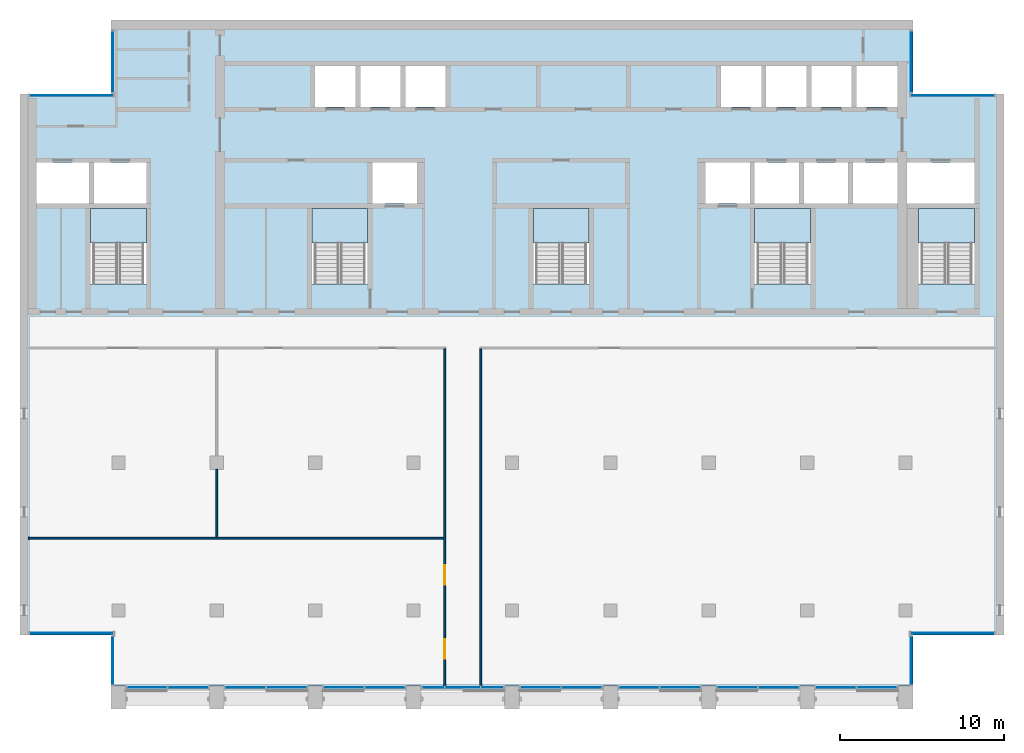
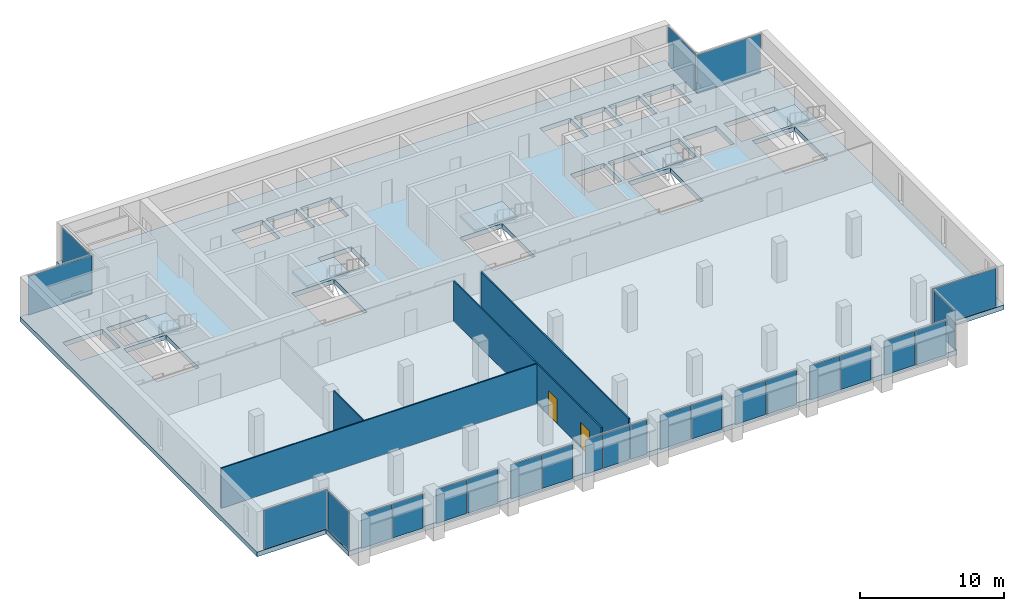
# One storey, part 6 of 14: 25 plates, 6 slabs, 4 walls, 2 doors, 2 openings, 21 elements without a shape of their own.
"""IFC4 building model written with IfcOpenShell, lengths in metres."""

from ifc_helpers import new_model, si_unit, direction, frame, frame_2d, origin, origin_2d, place, context, subcontext, project, spatial, polyline, rectangle, outline, extrude, material, layer, layer_set, type_object, element, fill, aggregate, save


model = new_model("IFC4")

# Units and contexts
model_context = context("Model", 3, precision=1e-05, world=origin(), true_north=direction((0.0, 1.0)))
body_context = subcontext(model_context, "Body", "Model", "MODEL_VIEW")
ifc_project = project(units=[si_unit("LENGTHUNIT", "METRE"), si_unit("AREAUNIT", "SQUARE_METRE"), si_unit("VOLUMEUNIT", "CUBIC_METRE"), si_unit("PLANEANGLEUNIT", "RADIAN"), si_unit("MASSUNIT", "GRAM", prefix="KILO")], contexts=[model_context])

# Site, building, storey
site_placement = place(None, origin())
site = spatial("IfcSite", under=ifc_project, at=site_placement, CompositionType="ELEMENT")
building_placement = place(site_placement, origin())
building = spatial("IfcBuilding", under=site, at=building_placement, Name="Calvaro Tower", CompositionType="ELEMENT")
storey_placement = place(building_placement, frame((0.0, 0.0, 254.550048828125)))
storey = spatial("IfcBuildingStorey", under=building, at=storey_placement, Name="L64", CompositionType="ELEMENT", Elevation=254.550048828125)

# Slab
ifc_material_1 = material(Name="Concrete C40/50", Category="concrete")
ifc_layer_1 = layer(ifc_material_1, 0.39990234375)
ifc_layer_set_1 = layer_set([ifc_layer_1], Name="Concrete C40/50")
slab_type_1 = type_object("IfcSlabType", Name="Floor slab 400 C40/50", PredefinedType="FLOOR", material=ifc_layer_set_1)
slab_1_placement = place(storey_placement, frame((0.0, 0.0, -0.400146484375)))
element("IfcSlab", 1, at=slab_1_placement, inside=storey, type_object=slab_type_1, Name="Floor slab", PredefinedType="FLOOR", context=body_context, shape_type="SweptSolid", body=[
    extrude(outline(polyline([(60.449951171875, 8.5), (60.449951171875, 5.39990234375), (11.550048828125, 5.39990234375), (11.550048828125, 8.5), (6.0, 8.5), (6.0, 41.5), (11.550048828125, 41.5), (11.550048828125, 46.0), (60.449951171875, 46.0), (60.449951171875, 41.5), (66.0, 41.5), (66.0, 8.5), (60.449951171875, 8.5)]), holes=[polyline([(10.300048828125, 29.909912109375), (10.300048828125, 34.5), (12.0, 34.5), (13.699951171875, 34.5), (13.699951171875, 29.909912109375), (12.0, 29.909912109375), (10.300048828125, 29.909912109375)]), polyline([(23.800048828125, 29.909912109375), (23.800048828125, 34.5), (25.5, 34.5), (27.199951171875, 34.5), (27.199951171875, 29.909912109375), (25.5, 29.909912109375), (23.800048828125, 29.909912109375)]), polyline([(37.300048828125, 29.909912109375), (37.300048828125, 34.5), (39.0, 34.5), (40.699951171875, 34.5), (40.699951171875, 29.909912109375), (39.0, 29.909912109375), (37.300048828125, 29.909912109375)]), polyline([(50.800048828125, 29.909912109375), (50.800048828125, 34.5), (52.5, 34.5), (54.199951171875, 34.5), (54.199951171875, 29.909912109375), (52.5, 29.909912109375), (50.800048828125, 29.909912109375)]), polyline([(60.800048828125, 29.909912109375), (60.800048828125, 34.5), (62.5, 34.5), (64.199951171875, 34.5), (64.199951171875, 29.909912109375), (62.5, 29.909912109375), (60.800048828125, 29.909912109375)]), polyline([(50.800048828125, 34.800048828125), (53.5, 34.800048828125), (53.5, 37.300048828125), (50.800048828125, 37.300048828125), (50.800048828125, 34.800048828125)]), polyline([(53.800048828125, 34.800048828125), (56.5, 34.800048828125), (56.5, 37.300048828125), (53.800048828125, 37.300048828125), (53.800048828125, 34.800048828125)]), polyline([(56.800048828125, 34.800048828125), (59.5, 34.800048828125), (59.5, 37.300048828125), (56.800048828125, 37.300048828125), (56.800048828125, 34.800048828125)]), polyline([(24.0, 40.699951171875), (26.449951171875, 40.699951171875), (26.449951171875, 43.199951171875), (24.0, 43.199951171875), (24.0, 40.699951171875)]), polyline([(26.75, 40.699951171875), (29.199951171875, 40.699951171875), (29.199951171875, 43.199951171875), (26.75, 43.199951171875), (26.75, 40.699951171875)]), polyline([(29.5, 40.699951171875), (31.949951171875, 40.699951171875), (31.949951171875, 43.199951171875), (29.5, 43.199951171875), (29.5, 40.699951171875)]), polyline([(48.75, 40.699951171875), (51.199951171875, 40.699951171875), (51.199951171875, 43.199951171875), (48.75, 43.199951171875), (48.75, 40.699951171875)]), polyline([(51.5, 40.699951171875), (53.949951171875, 40.699951171875), (53.949951171875, 43.199951171875), (51.5, 43.199951171875), (51.5, 40.699951171875)]), polyline([(54.25, 40.699951171875), (56.699951171875, 40.699951171875), (56.699951171875, 43.199951171875), (54.25, 43.199951171875), (54.25, 40.699951171875)]), polyline([(57.0, 40.699951171875), (59.5, 40.699951171875), (59.5, 43.199951171875), (57.0, 43.199951171875), (57.0, 40.699951171875)]), polyline([(7.0, 34.800048828125), (10.199951171875, 34.800048828125), (10.199951171875, 37.300048828125), (7.0, 37.300048828125), (7.0, 34.800048828125)]), polyline([(10.5, 34.800048828125), (13.699951171875, 34.800048828125), (13.699951171875, 37.300048828125), (10.5, 37.300048828125), (10.5, 34.800048828125)]), polyline([(60.10009765625, 34.800048828125), (64.199951171875, 34.800048828125), (64.199951171875, 37.300048828125), (60.10009765625, 37.300048828125), (60.10009765625, 34.800048828125)]), polyline([(27.5, 34.800048828125), (30.199951171875, 34.800048828125), (30.199951171875, 37.300048828125), (27.5, 37.300048828125), (27.5, 34.800048828125)]), polyline([(47.800048828125, 34.800048828125), (50.5, 34.800048828125), (50.5, 37.300048828125), (47.800048828125, 37.300048828125), (47.800048828125, 34.800048828125)])]), origin(), (0.0, 0.0, 1.0), 0.400146484375),
])

# Curtain wall, plates
ifc_material_2 = material(Name="Anodised aluminium", Category="aluminium")
curtain_wall_type = type_object("IfcCurtainWallType", Name="Executive curtain wall", PredefinedType="NOTDEFINED", material=ifc_material_2)
curtain_wall_1_placement = place(storey_placement, origin())
curtain_wall_1 = element("IfcCurtainWall", 2, at=curtain_wall_1_placement, inside=storey, type_object=curtain_wall_type, Name="CW4 south curtain wall", PredefinedType="NOTDEFINED")
ifc_material_3 = material(Name="Glass", Category="glass")
ifc_layer_2 = layer(ifc_material_3, 0.0400390625)
ifc_layer_set_2 = layer_set([ifc_layer_2], Name="Glass")
plate_type = type_object("IfcPlateType", Name="Glass panel S4 40", PredefinedType="CURTAIN_PANEL", material=ifc_layer_set_2)
plate_1_placement = place(storey_placement, frame((13.7451171875, 5.2900390625, 0.0), z_axis=(0.0, 0.0, 1.0), x_axis=(1.0, 0.0, 0.0)))
plate_1 = element("IfcPlate", 3, at=plate_1_placement, type_object=plate_type, Name="CW4 glass panel 1.1", PredefinedType="CURTAIN_PANEL", context=body_context, shape_type="SweptSolid", body=[
    extrude(rectangle(XDim=2.429931640625, YDim=0.0400390625, at=origin_2d()), origin(), (0.0, 0.0, 1.0), 2.8798828125),
])
plate_2_placement = place(storey_placement, frame((16.2548828125, 5.2900390625, 0.0), z_axis=(0.0, 0.0, 1.0), x_axis=(1.0, 0.0, 0.0)))
plate_2 = element("IfcPlate", 4, at=plate_2_placement, type_object=plate_type, Name="CW4 glass panel 2.1", PredefinedType="CURTAIN_PANEL", context=body_context, shape_type="SweptSolid", body=[
    extrude(rectangle(XDim=2.429931640625, YDim=0.0400390625, at=origin_2d()), origin(), (0.0, 0.0, 1.0), 2.8798828125),
])
aggregate(curtain_wall_1, [plate_1, plate_2])

curtain_wall_2_placement = place(storey_placement, origin())
curtain_wall_2 = element("IfcCurtainWall", 5, at=curtain_wall_2_placement, inside=storey, type_object=curtain_wall_type, Name="CW4 south curtain wall", PredefinedType="NOTDEFINED")
plate_3_placement = place(storey_placement, frame((19.7451171875, 5.2900390625, 0.0), z_axis=(0.0, 0.0, 1.0), x_axis=(1.0, 0.0, 0.0)))
plate_3 = element("IfcPlate", 6, at=plate_3_placement, type_object=plate_type, Name="CW4 glass panel 1.1", PredefinedType="CURTAIN_PANEL", context=body_context, shape_type="SweptSolid", body=[
    extrude(rectangle(XDim=2.429931640625, YDim=0.0400390625, at=origin_2d()), origin(), (0.0, 0.0, 1.0), 2.8798828125),
])
plate_4_placement = place(storey_placement, frame((22.2548828125, 5.2900390625, 0.0), z_axis=(0.0, 0.0, 1.0), x_axis=(1.0, 0.0, 0.0)))
plate_4 = element("IfcPlate", 7, at=plate_4_placement, type_object=plate_type, Name="CW4 glass panel 2.1", PredefinedType="CURTAIN_PANEL", context=body_context, shape_type="SweptSolid", body=[
    extrude(rectangle(XDim=2.429931640625, YDim=0.0400390625, at=origin_2d()), origin(), (0.0, 0.0, 1.0), 2.8798828125),
])
aggregate(curtain_wall_2, [plate_3, plate_4])

curtain_wall_3_placement = place(storey_placement, origin())
curtain_wall_3 = element("IfcCurtainWall", 8, at=curtain_wall_3_placement, inside=storey, type_object=curtain_wall_type, Name="CW4 south curtain wall", PredefinedType="NOTDEFINED")
plate_5_placement = place(storey_placement, frame((25.7451171875, 5.2900390625, 0.0), z_axis=(0.0, 0.0, 1.0), x_axis=(1.0, 0.0, 0.0)))
plate_5 = element("IfcPlate", 9, at=plate_5_placement, type_object=plate_type, Name="CW4 glass panel 1.1", PredefinedType="CURTAIN_PANEL", context=body_context, shape_type="SweptSolid", body=[
    extrude(rectangle(XDim=2.429931640625, YDim=0.0400390625, at=origin_2d()), origin(), (0.0, 0.0, 1.0), 2.8798828125),
])
plate_6_placement = place(storey_placement, frame((28.2548828125, 5.2900390625, 0.0), z_axis=(0.0, 0.0, 1.0), x_axis=(1.0, 0.0, 0.0)))
plate_6 = element("IfcPlate", 10, at=plate_6_placement, type_object=plate_type, Name="CW4 glass panel 2.1", PredefinedType="CURTAIN_PANEL", context=body_context, shape_type="SweptSolid", body=[
    extrude(rectangle(XDim=2.429931640625, YDim=0.0400390625, at=origin_2d()), origin(), (0.0, 0.0, 1.0), 2.8798828125),
])
aggregate(curtain_wall_3, [plate_5, plate_6])

curtain_wall_4_placement = place(storey_placement, origin())
curtain_wall_4 = element("IfcCurtainWall", 11, at=curtain_wall_4_placement, inside=storey, type_object=curtain_wall_type, Name="CW4 south curtain wall", PredefinedType="NOTDEFINED")
plate_7_placement = place(storey_placement, frame((31.195068359375, 5.2900390625, 0.0), z_axis=(0.0, 0.0, 1.0), x_axis=(1.0, 0.0, 0.0)))
plate_7 = element("IfcPlate", 12, at=plate_7_placement, type_object=plate_type, Name="CW4 glass panel 1.1", PredefinedType="CURTAIN_PANEL", context=body_context, shape_type="SweptSolid", body=[
    extrude(rectangle(XDim=1.330078125, YDim=0.0400390625, at=origin_2d()), origin(), (0.0, 0.0, 1.0), 2.8798828125),
])
plate_8_placement = place(storey_placement, frame((33.0, 5.2900390625, 0.0), z_axis=(0.0, 0.0, 1.0), x_axis=(1.0, 0.0, 0.0)))
plate_8 = element("IfcPlate", 13, at=plate_8_placement, type_object=plate_type, Name="CW4 glass panel 2.1", PredefinedType="CURTAIN_PANEL", context=body_context, shape_type="SweptSolid", body=[
    extrude(rectangle(XDim=2.1201171875, YDim=0.0400390625, at=origin_2d()), origin(), (0.0, 0.0, 1.0), 2.8798828125),
])
plate_9_placement = place(storey_placement, frame((34.804931640625, 5.2900390625, 0.0), z_axis=(0.0, 0.0, 1.0), x_axis=(1.0, 0.0, 0.0)))
plate_9 = element("IfcPlate", 14, at=plate_9_placement, type_object=plate_type, Name="CW4 glass panel 3.1", PredefinedType="CURTAIN_PANEL", context=body_context, shape_type="SweptSolid", body=[
    extrude(rectangle(XDim=1.330078125, YDim=0.0400390625, at=origin_2d()), origin(), (0.0, 0.0, 1.0), 2.8798828125),
])
aggregate(curtain_wall_4, [plate_7, plate_8, plate_9])

curtain_wall_5_placement = place(storey_placement, origin())
curtain_wall_5 = element("IfcCurtainWall", 15, at=curtain_wall_5_placement, inside=storey, type_object=curtain_wall_type, Name="CW4 south curtain wall", PredefinedType="NOTDEFINED")
plate_10_placement = place(storey_placement, frame((37.7451171875, 5.2900390625, 0.0), z_axis=(0.0, 0.0, 1.0), x_axis=(1.0, 0.0, 0.0)))
plate_10 = element("IfcPlate", 16, at=plate_10_placement, type_object=plate_type, Name="CW4 glass panel 1.1", PredefinedType="CURTAIN_PANEL", context=body_context, shape_type="SweptSolid", body=[
    extrude(rectangle(XDim=2.429931640625, YDim=0.0400390625, at=origin_2d()), origin(), (0.0, 0.0, 1.0), 2.8798828125),
])
plate_11_placement = place(storey_placement, frame((40.2548828125, 5.2900390625, 0.0), z_axis=(0.0, 0.0, 1.0), x_axis=(1.0, 0.0, 0.0)))
plate_11 = element("IfcPlate", 17, at=plate_11_placement, type_object=plate_type, Name="CW4 glass panel 2.1", PredefinedType="CURTAIN_PANEL", context=body_context, shape_type="SweptSolid", body=[
    extrude(rectangle(XDim=2.429931640625, YDim=0.0400390625, at=origin_2d()), origin(), (0.0, 0.0, 1.0), 2.8798828125),
])
aggregate(curtain_wall_5, [plate_10, plate_11])

curtain_wall_6_placement = place(storey_placement, origin())
curtain_wall_6 = element("IfcCurtainWall", 18, at=curtain_wall_6_placement, inside=storey, type_object=curtain_wall_type, Name="CW4 south curtain wall", PredefinedType="NOTDEFINED")
plate_12_placement = place(storey_placement, frame((43.7451171875, 5.2900390625, 0.0), z_axis=(0.0, 0.0, 1.0), x_axis=(1.0, 0.0, 0.0)))
plate_12 = element("IfcPlate", 19, at=plate_12_placement, type_object=plate_type, Name="CW4 glass panel 1.1", PredefinedType="CURTAIN_PANEL", context=body_context, shape_type="SweptSolid", body=[
    extrude(rectangle(XDim=2.429931640625, YDim=0.0400390625, at=origin_2d()), origin(), (0.0, 0.0, 1.0), 2.8798828125),
])
plate_13_placement = place(storey_placement, frame((46.2548828125, 5.2900390625, 0.0), z_axis=(0.0, 0.0, 1.0), x_axis=(1.0, 0.0, 0.0)))
plate_13 = element("IfcPlate", 20, at=plate_13_placement, type_object=plate_type, Name="CW4 glass panel 2.1", PredefinedType="CURTAIN_PANEL", context=body_context, shape_type="SweptSolid", body=[
    extrude(rectangle(XDim=2.429931640625, YDim=0.0400390625, at=origin_2d()), origin(), (0.0, 0.0, 1.0), 2.8798828125),
])
aggregate(curtain_wall_6, [plate_12, plate_13])

curtain_wall_7_placement = place(storey_placement, origin())
curtain_wall_7 = element("IfcCurtainWall", 21, at=curtain_wall_7_placement, inside=storey, type_object=curtain_wall_type, Name="CW4 south curtain wall", PredefinedType="NOTDEFINED")
plate_14_placement = place(storey_placement, frame((49.7451171875, 5.2900390625, 0.0), z_axis=(0.0, 0.0, 1.0), x_axis=(1.0, 0.0, 0.0)))
plate_14 = element("IfcPlate", 22, at=plate_14_placement, type_object=plate_type, Name="CW4 glass panel 1.1", PredefinedType="CURTAIN_PANEL", context=body_context, shape_type="SweptSolid", body=[
    extrude(rectangle(XDim=2.429931640625, YDim=0.0400390625, at=origin_2d()), origin(), (0.0, 0.0, 1.0), 2.8798828125),
])
plate_15_placement = place(storey_placement, frame((52.2548828125, 5.2900390625, 0.0), z_axis=(0.0, 0.0, 1.0), x_axis=(1.0, 0.0, 0.0)))
plate_15 = element("IfcPlate", 23, at=plate_15_placement, type_object=plate_type, Name="CW4 glass panel 2.1", PredefinedType="CURTAIN_PANEL", context=body_context, shape_type="SweptSolid", body=[
    extrude(rectangle(XDim=2.429931640625, YDim=0.0400390625, at=origin_2d()), origin(), (0.0, 0.0, 1.0), 2.8798828125),
])
aggregate(curtain_wall_7, [plate_14, plate_15])

curtain_wall_8_placement = place(storey_placement, origin())
curtain_wall_8 = element("IfcCurtainWall", 24, at=curtain_wall_8_placement, inside=storey, type_object=curtain_wall_type, Name="CW4 south curtain wall", PredefinedType="NOTDEFINED")
plate_16_placement = place(storey_placement, frame((55.7451171875, 5.2900390625, 0.0), z_axis=(0.0, 0.0, 1.0), x_axis=(1.0, 0.0, 0.0)))
plate_16 = element("IfcPlate", 25, at=plate_16_placement, type_object=plate_type, Name="CW4 glass panel 1.1", PredefinedType="CURTAIN_PANEL", context=body_context, shape_type="SweptSolid", body=[
    extrude(rectangle(XDim=2.429931640625, YDim=0.0400390625, at=origin_2d()), origin(), (0.0, 0.0, 1.0), 2.8798828125),
])
plate_17_placement = place(storey_placement, frame((58.2548828125, 5.2900390625, 0.0), z_axis=(0.0, 0.0, 1.0), x_axis=(1.0, 0.0, 0.0)))
plate_17 = element("IfcPlate", 26, at=plate_17_placement, type_object=plate_type, Name="CW4 glass panel 2.1", PredefinedType="CURTAIN_PANEL", context=body_context, shape_type="SweptSolid", body=[
    extrude(rectangle(XDim=2.429931640625, YDim=0.0400390625, at=origin_2d()), origin(), (0.0, 0.0, 1.0), 2.8798828125),
])
aggregate(curtain_wall_8, [plate_16, plate_17])

# Curtain wall, plate
curtain_wall_9_placement = place(storey_placement, origin())
curtain_wall_9 = element("IfcCurtainWall", 27, at=curtain_wall_9_placement, inside=storey, type_object=curtain_wall_type, Name="CW4 corner curtain wall", PredefinedType="NOTDEFINED")
plate_18_placement = place(storey_placement, frame((11.659912109375, 6.949951171875, 0.0), z_axis=(0.0, 0.0, 1.0), x_axis=(0.0, 1.0, 0.0)))
plate_18 = element("IfcPlate", 28, at=plate_18_placement, type_object=plate_type, Name="CW4 glass panel 1.1", PredefinedType="CURTAIN_PANEL", context=body_context, shape_type="SweptSolid", body=[
    extrude(rectangle(XDim=2.93994140625, YDim=0.0400390625, at=origin_2d()), origin(), (0.0, 0.0, 1.0), 3.280029296875),
])
aggregate(curtain_wall_9, [plate_18])

curtain_wall_10_placement = place(storey_placement, origin())
curtain_wall_10 = element("IfcCurtainWall", 29, at=curtain_wall_10_placement, inside=storey, type_object=curtain_wall_type, Name="CW4 corner curtain wall", PredefinedType="NOTDEFINED")
plate_19_placement = place(storey_placement, frame((9.135009765625, 8.610107421875, 0.0), z_axis=(0.0, 0.0, 1.0), x_axis=(1.0, 0.0, 0.0)))
plate_19 = element("IfcPlate", 30, at=plate_19_placement, type_object=plate_type, Name="CW4 glass panel 1.1", PredefinedType="CURTAIN_PANEL", context=body_context, shape_type="SweptSolid", body=[
    extrude(rectangle(XDim=5.110107421875, YDim=0.0400390625, at=origin_2d()), origin(), (0.0, 0.0, 1.0), 3.280029296875),
])
aggregate(curtain_wall_10, [plate_19])

curtain_wall_11_placement = place(storey_placement, origin())
curtain_wall_11 = element("IfcCurtainWall", 31, at=curtain_wall_11_placement, inside=storey, type_object=curtain_wall_type, Name="CW4 corner curtain wall", PredefinedType="NOTDEFINED")
plate_20_placement = place(storey_placement, frame((11.659912109375, 43.449951171875, 0.0), z_axis=(0.0, 0.0, 1.0), x_axis=(0.0, 1.0, 0.0)))
plate_20 = element("IfcPlate", 32, at=plate_20_placement, type_object=plate_type, Name="CW4 glass panel 1.1", PredefinedType="CURTAIN_PANEL", context=body_context, shape_type="SweptSolid", body=[
    extrude(rectangle(XDim=3.739990234375, YDim=0.0400390625, at=origin_2d()), origin(), (0.0, 0.0, 1.0), 3.280029296875),
])
aggregate(curtain_wall_11, [plate_20])

curtain_wall_12_placement = place(storey_placement, origin())
curtain_wall_12 = element("IfcCurtainWall", 33, at=curtain_wall_12_placement, inside=storey, type_object=curtain_wall_type, Name="CW4 corner curtain wall", PredefinedType="NOTDEFINED")
plate_21_placement = place(storey_placement, frame((9.135009765625, 41.389892578125, 0.0), z_axis=(0.0, 0.0, 1.0), x_axis=(1.0, 0.0, 0.0)))
plate_21 = element("IfcPlate", 34, at=plate_21_placement, type_object=plate_type, Name="CW4 glass panel 1.1", PredefinedType="CURTAIN_PANEL", context=body_context, shape_type="SweptSolid", body=[
    extrude(rectangle(XDim=5.110107421875, YDim=0.0400390625, at=origin_2d()), origin(), (0.0, 0.0, 1.0), 3.280029296875),
])
aggregate(curtain_wall_12, [plate_21])

curtain_wall_13_placement = place(storey_placement, origin())
curtain_wall_13 = element("IfcCurtainWall", 35, at=curtain_wall_13_placement, inside=storey, type_object=curtain_wall_type, Name="CW4 corner curtain wall", PredefinedType="NOTDEFINED")
plate_22_placement = place(storey_placement, frame((60.340087890625, 6.949951171875, 0.0), z_axis=(0.0, 0.0, 1.0), x_axis=(0.0, 1.0, 0.0)))
plate_22 = element("IfcPlate", 36, at=plate_22_placement, type_object=plate_type, Name="CW4 glass panel 1.1", PredefinedType="CURTAIN_PANEL", context=body_context, shape_type="SweptSolid", body=[
    extrude(rectangle(XDim=2.93994140625, YDim=0.0400390625, at=origin_2d()), origin(), (0.0, 0.0, 1.0), 3.280029296875),
])
aggregate(curtain_wall_13, [plate_22])

curtain_wall_14_placement = place(storey_placement, origin())
curtain_wall_14 = element("IfcCurtainWall", 37, at=curtain_wall_14_placement, inside=storey, type_object=curtain_wall_type, Name="CW4 corner curtain wall", PredefinedType="NOTDEFINED")
plate_23_placement = place(storey_placement, frame((62.864990234375, 8.610107421875, 0.0), z_axis=(0.0, 0.0, 1.0), x_axis=(1.0, 0.0, 0.0)))
plate_23 = element("IfcPlate", 38, at=plate_23_placement, type_object=plate_type, Name="CW4 glass panel 1.1", PredefinedType="CURTAIN_PANEL", context=body_context, shape_type="SweptSolid", body=[
    extrude(rectangle(XDim=5.110107421875, YDim=0.0400390625, at=origin_2d()), origin(), (0.0, 0.0, 1.0), 3.280029296875),
])
aggregate(curtain_wall_14, [plate_23])

curtain_wall_15_placement = place(storey_placement, origin())
curtain_wall_15 = element("IfcCurtainWall", 39, at=curtain_wall_15_placement, inside=storey, type_object=curtain_wall_type, Name="CW4 corner curtain wall", PredefinedType="NOTDEFINED")
plate_24_placement = place(storey_placement, frame((60.340087890625, 43.449951171875, 0.0), z_axis=(0.0, 0.0, 1.0), x_axis=(0.0, 1.0, 0.0)))
plate_24 = element("IfcPlate", 40, at=plate_24_placement, type_object=plate_type, Name="CW4 glass panel 1.1", PredefinedType="CURTAIN_PANEL", context=body_context, shape_type="SweptSolid", body=[
    extrude(rectangle(XDim=3.739990234375, YDim=0.0400390625, at=origin_2d()), origin(), (0.0, 0.0, 1.0), 3.280029296875),
])
aggregate(curtain_wall_15, [plate_24])

curtain_wall_16_placement = place(storey_placement, origin())
curtain_wall_16 = element("IfcCurtainWall", 41, at=curtain_wall_16_placement, inside=storey, type_object=curtain_wall_type, Name="CW4 corner curtain wall", PredefinedType="NOTDEFINED")
plate_25_placement = place(storey_placement, frame((62.864990234375, 41.389892578125, 0.0), z_axis=(0.0, 0.0, 1.0), x_axis=(1.0, 0.0, 0.0)))
plate_25 = element("IfcPlate", 42, at=plate_25_placement, type_object=plate_type, Name="CW4 glass panel 1.1", PredefinedType="CURTAIN_PANEL", context=body_context, shape_type="SweptSolid", body=[
    extrude(rectangle(XDim=5.110107421875, YDim=0.0400390625, at=origin_2d()), origin(), (0.0, 0.0, 1.0), 3.280029296875),
])
aggregate(curtain_wall_16, [plate_25])

# Stair, slab
ifc_material_4 = material(Name="Concrete C40/50", Category="concrete")
stair_type = type_object("IfcStairType", Name="Exit stair 1400 2 flights", PredefinedType="HALF_TURN_STAIR", material=ifc_material_4)
stair_1_placement = place(storey_placement, origin())
stair_1 = element("IfcStair", 43, at=stair_1_placement, inside=storey, type_object=stair_type, Name="Exit stair S1", PredefinedType="HALF_TURN_STAIR")
ifc_material_5 = material(Name="Concrete C40/50", Category="concrete")
ifc_layer_3 = layer(ifc_material_5, 0.199951171875)
ifc_layer_set_3 = layer_set([ifc_layer_3], Name="Concrete C40/50")
slab_type_2 = type_object("IfcSlabType", Name="Stair landing", PredefinedType="LANDING", material=ifc_layer_set_3)
slab_2_placement = place(storey_placement, frame((0.0, 0.0, 1.699951171875)))
slab_2 = element("IfcSlab", 44, at=slab_2_placement, type_object=slab_type_2, Name="Exit stair 1, landing 1", PredefinedType="LANDING", context=body_context, shape_type="SweptSolid", body=[
    extrude(outline(polyline([(11.89990234375, 32.389892578125), (10.5, 32.389892578125), (10.5, 32.39990234375), (10.300048828125, 32.39990234375), (10.300048828125, 34.5), (10.5, 34.5), (11.89990234375, 34.5), (12.10009765625, 34.5), (13.5, 34.5), (13.699951171875, 34.5), (13.699951171875, 32.39990234375), (13.5, 32.39990234375), (13.5, 32.389892578125), (12.10009765625, 32.389892578125), (12.10009765625, 32.39990234375), (11.89990234375, 32.39990234375), (11.89990234375, 32.389892578125)])), origin(), (0.0, 0.0, 1.0), 0.199951171875),
])
aggregate(stair_1, [slab_2])

stair_2_placement = place(storey_placement, origin())
stair_2 = element("IfcStair", 45, at=stair_2_placement, inside=storey, type_object=stair_type, Name="Exit stair S2", PredefinedType="HALF_TURN_STAIR")
slab_3_placement = place(storey_placement, frame((0.0, 0.0, 1.699951171875)))
slab_3 = element("IfcSlab", 46, at=slab_3_placement, type_object=slab_type_2, Name="Exit stair 2, landing 1", PredefinedType="LANDING", context=body_context, shape_type="SweptSolid", body=[
    extrude(outline(polyline([(25.39990234375, 32.389892578125), (24.0, 32.389892578125), (24.0, 32.39990234375), (23.800048828125, 32.39990234375), (23.800048828125, 34.5), (24.0, 34.5), (25.39990234375, 34.5), (25.60009765625, 34.5), (27.0, 34.5), (27.199951171875, 34.5), (27.199951171875, 32.39990234375), (27.0, 32.39990234375), (27.0, 32.389892578125), (25.60009765625, 32.389892578125), (25.60009765625, 32.39990234375), (25.39990234375, 32.39990234375), (25.39990234375, 32.389892578125)])), origin(), (0.0, 0.0, 1.0), 0.199951171875),
])
aggregate(stair_2, [slab_3])

stair_3_placement = place(storey_placement, origin())
stair_3 = element("IfcStair", 47, at=stair_3_placement, inside=storey, type_object=stair_type, Name="Exit stair S3", PredefinedType="HALF_TURN_STAIR")
slab_4_placement = place(storey_placement, frame((0.0, 0.0, 1.699951171875)))
slab_4 = element("IfcSlab", 48, at=slab_4_placement, type_object=slab_type_2, Name="Exit stair 3, landing 1", PredefinedType="LANDING", context=body_context, shape_type="SweptSolid", body=[
    extrude(outline(polyline([(38.89990234375, 32.389892578125), (37.5, 32.389892578125), (37.5, 32.39990234375), (37.300048828125, 32.39990234375), (37.300048828125, 34.5), (37.5, 34.5), (38.89990234375, 34.5), (39.10009765625, 34.5), (40.5, 34.5), (40.699951171875, 34.5), (40.699951171875, 32.39990234375), (40.5, 32.39990234375), (40.5, 32.389892578125), (39.10009765625, 32.389892578125), (39.10009765625, 32.39990234375), (38.89990234375, 32.39990234375), (38.89990234375, 32.389892578125)])), origin(), (0.0, 0.0, 1.0), 0.199951171875),
])
aggregate(stair_3, [slab_4])

stair_4_placement = place(storey_placement, origin())
stair_4 = element("IfcStair", 49, at=stair_4_placement, inside=storey, type_object=stair_type, Name="Exit stair S4", PredefinedType="HALF_TURN_STAIR")
slab_5_placement = place(storey_placement, frame((0.0, 0.0, 1.699951171875)))
slab_5 = element("IfcSlab", 50, at=slab_5_placement, type_object=slab_type_2, Name="Exit stair 4, landing 1", PredefinedType="LANDING", context=body_context, shape_type="SweptSolid", body=[
    extrude(outline(polyline([(52.39990234375, 32.389892578125), (51.0, 32.389892578125), (51.0, 32.39990234375), (50.800048828125, 32.39990234375), (50.800048828125, 34.5), (51.0, 34.5), (52.39990234375, 34.5), (52.60009765625, 34.5), (54.0, 34.5), (54.199951171875, 34.5), (54.199951171875, 32.39990234375), (54.0, 32.39990234375), (54.0, 32.389892578125), (52.60009765625, 32.389892578125), (52.60009765625, 32.39990234375), (52.39990234375, 32.39990234375), (52.39990234375, 32.389892578125)])), origin(), (0.0, 0.0, 1.0), 0.199951171875),
])
aggregate(stair_4, [slab_5])

stair_5_placement = place(storey_placement, origin())
stair_5 = element("IfcStair", 51, at=stair_5_placement, inside=storey, type_object=stair_type, Name="Exit stair S5", PredefinedType="HALF_TURN_STAIR")
slab_6_placement = place(storey_placement, frame((0.0, 0.0, 1.699951171875)))
slab_6 = element("IfcSlab", 52, at=slab_6_placement, type_object=slab_type_2, Name="Exit stair 5, landing 1", PredefinedType="LANDING", context=body_context, shape_type="SweptSolid", body=[
    extrude(outline(polyline([(62.39990234375, 32.389892578125), (61.0, 32.389892578125), (61.0, 32.39990234375), (60.800048828125, 32.39990234375), (60.800048828125, 34.5), (61.0, 34.5), (62.39990234375, 34.5), (62.60009765625, 34.5), (64.0, 34.5), (64.199951171875, 34.5), (64.199951171875, 32.39990234375), (64.0, 32.39990234375), (64.0, 32.389892578125), (62.60009765625, 32.389892578125), (62.60009765625, 32.39990234375), (62.39990234375, 32.39990234375), (62.39990234375, 32.389892578125)])), origin(), (0.0, 0.0, 1.0), 0.199951171875),
])
aggregate(stair_5, [slab_6])

# Walls
ifc_material_6 = material(Name="Plasterboard on steel studs", Category="steel")
ifc_layer_4 = layer(ifc_material_6, 0.10009765625)
ifc_layer_set_4 = layer_set([ifc_layer_4], Name="Plasterboard on steel studs")
wall_type_1 = type_object("IfcWallType", Name="Partition 100", PredefinedType="PARTITIONING", material=ifc_layer_set_4)
wall_1_placement = place(storey_placement, frame((34.10009765625, 5.39990234375, 0.0), z_axis=(0.0, 0.0, 1.0), x_axis=(0.0, 1.0, 0.0)))
element("IfcWall", 53, at=wall_1_placement, inside=storey, type_object=wall_type_1, Name="Partition T36.W007", PredefinedType="PARTITIONING", context=body_context, shape_type="SweptSolid", body=[
    extrude(rectangle(XDim=20.550048828125, YDim=0.10009765625, at=frame_2d((10.27490234375, 0.0))), origin(), (0.0, 0.0, 1.0), 3.39990234375),
])
ifc_material_7 = material(Name="Plasterboard on steel studs", Category="steel")
ifc_layer_5 = layer(ifc_material_7, 0.10009765625)
ifc_layer_set_5 = layer_set([ifc_layer_5], Name="Plasterboard on steel studs")
wall_type_2 = type_object("IfcWallType", Name="Partition 100 REI 120", PredefinedType="PARTITIONING", material=ifc_layer_set_5)
wall_2_placement = place(storey_placement, frame((6.5, 14.39990234375, 0.0), z_axis=(0.0, 0.0, 1.0), x_axis=(1.0, 0.0, 0.0)))
element("IfcWall", 54, at=wall_2_placement, inside=storey, type_object=wall_type_2, Name="Partition T36.W001", PredefinedType="PARTITIONING", context=body_context, shape_type="SweptSolid", body=[
    extrude(rectangle(XDim=25.35009765625, YDim=0.10009765625, at=frame_2d((12.675048828125, 0.0))), origin(), (0.0, 0.0, 1.0), 3.39990234375),
])
wall_3_placement = place(storey_placement, frame((18.0, 14.449951171875, 0.0), z_axis=(0.0, 0.0, 1.0), x_axis=(0.0, 1.0, 0.0)))
element("IfcWall", 55, at=wall_3_placement, inside=storey, type_object=wall_type_2, Name="Partition T36.W004", PredefinedType="PARTITIONING", context=body_context, shape_type="SweptSolid", body=[
    extrude(rectangle(XDim=4.150146484375, YDim=0.10009765625, at=frame_2d((2.0751953125, 0.0))), origin(), (0.0, 0.0, 1.0), 3.39990234375),
])

# Wall, openings, doors
wall_4_placement = place(storey_placement, frame((31.89990234375, 5.39990234375, 0.0), z_axis=(0.0, 0.0, 1.0), x_axis=(0.0, 1.0, 0.0)))
wall_4 = element("IfcWall", 56, at=wall_4_placement, inside=storey, type_object=wall_type_2, Name="Partition T36.W006", PredefinedType="PARTITIONING", context=body_context, shape_type="SweptSolid", body=[
    extrude(rectangle(XDim=20.550048828125, YDim=0.10009765625, at=frame_2d((10.27490234375, 0.0))), origin(), (0.0, 0.0, 1.0), 3.39990234375),
])
opening_1_placement = place(wall_4_placement, frame((1.64990234375, 0.0, 0.0)))
opening_1 = element("IfcOpeningElement", 57, at=opening_1_placement, cuts=wall_4, Name="Opening T36.001", PredefinedType="OPENING", context=body_context, shape_type="SweptSolid", body=[
    extrude(rectangle(XDim=1.199951171875, YDim=2.10009765625, at=frame_2d((0.60009765625, 1.050048828125))), frame((0.0, 0.06005859375, 0.0), z_axis=(0.0, -1.0, 0.0), x_axis=(1.0, 0.0, 0.0)), (0.0, 0.0, 1.0), 0.1201171875),
])
opening_2_placement = place(wall_4_placement, frame((6.14990234375, 0.0, 0.0)))
opening_2 = element("IfcOpeningElement", 58, at=opening_2_placement, cuts=wall_4, Name="Opening T36.002", PredefinedType="OPENING", context=body_context, shape_type="SweptSolid", body=[
    extrude(rectangle(XDim=1.199951171875, YDim=2.10009765625, at=frame_2d((0.60009765625, 1.050048828125))), frame((0.0, 0.06005859375, 0.0), z_axis=(0.0, -1.0, 0.0), x_axis=(1.0, 0.0, 0.0)), (0.0, 0.0, 1.0), 0.1201171875),
])
ifc_material_8 = material(Name="Timber", Category="wood")
door_type = type_object("IfcDoorType", Name="Internal single door 1200 x 2100", OperationType="SINGLE_SWING_LEFT", PredefinedType="DOOR", material=ifc_material_8)
door_1_placement = place(opening_1_placement, origin())
door_1 = element("IfcDoor", 59, at=door_1_placement, inside=storey, type_object=door_type, Name="Door T36.001", OperationType="SINGLE_SWING_LEFT", OverallHeight=2.10009765625, OverallWidth=1.199951171875, PredefinedType="DOOR", context=body_context, shape_type="SweptSolid", body=[
    extrude(rectangle(XDim=1.199951171875, YDim=2.10009765625, at=frame_2d((0.60009765625, 1.050048828125))), frame((0.0, 0.02490234375, 0.0), z_axis=(0.0, -1.0, 0.0), x_axis=(1.0, 0.0, 0.0)), (0.0, 0.0, 1.0), 0.050048828125),
])
fill(opening_1, door_1)
door_2_placement = place(opening_2_placement, origin())
door_2 = element("IfcDoor", 60, at=door_2_placement, inside=storey, type_object=door_type, Name="Door T36.002", OperationType="SINGLE_SWING_LEFT", OverallHeight=2.10009765625, OverallWidth=1.199951171875, PredefinedType="DOOR", context=body_context, shape_type="SweptSolid", body=[
    extrude(rectangle(XDim=1.199951171875, YDim=2.10009765625, at=frame_2d((0.60009765625, 1.050048828125))), frame((0.0, 0.02490234375, 0.0), z_axis=(0.0, -1.0, 0.0), x_axis=(1.0, 0.0, 0.0)), (0.0, 0.0, 1.0), 0.050048828125),
])
fill(opening_2, door_2)

save(model, "model.ifc")
